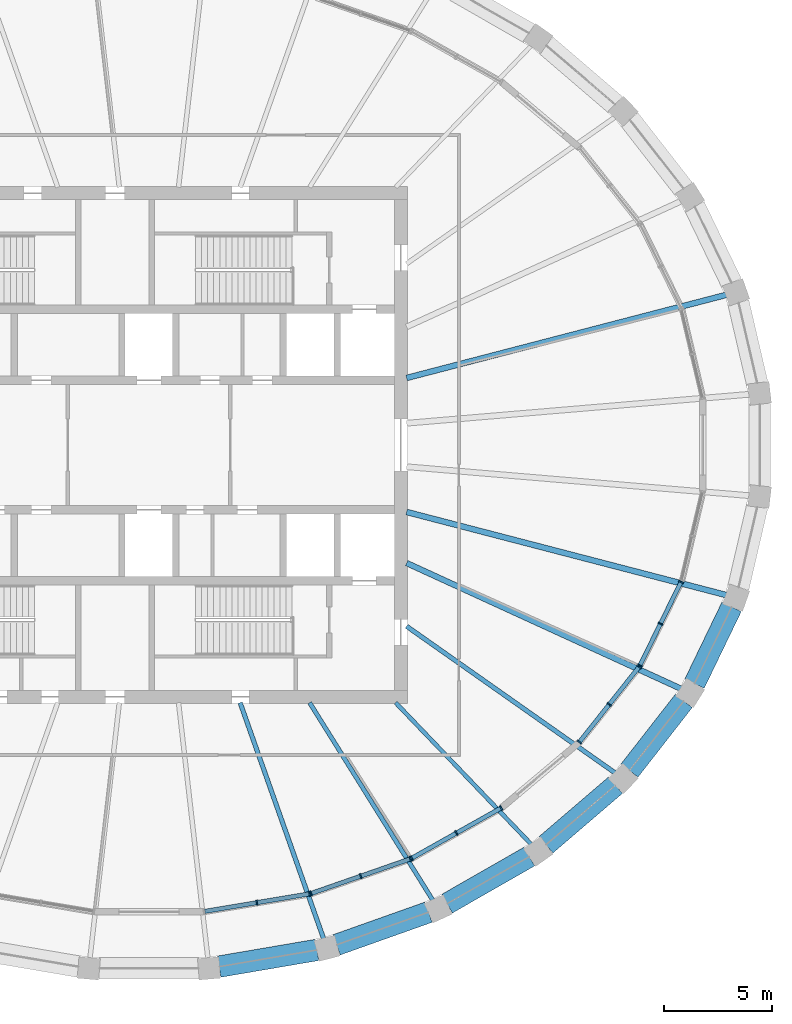
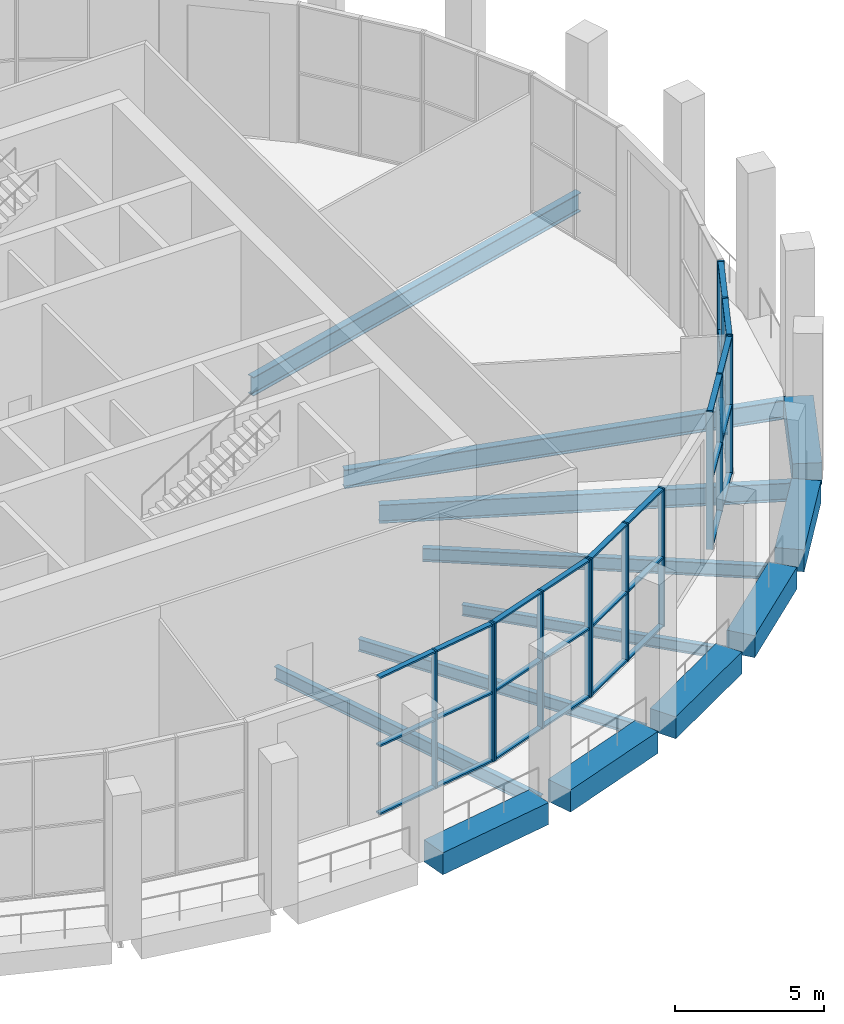
# One storey, part 4 of 15: 44 members, 13 beams, 5 elements without a shape of their own.
"""IFC4 building model written with IfcOpenShell, lengths in metres."""

from ifc_helpers import new_model, si_unit, direction, frame, origin, origin_2d, place, context, subcontext, project, spatial, rectangle, i_section, extrude, material, material_profile, profile_set, type_object, element, aggregate, save


model = new_model("IFC4")

# Units and contexts
model_context = context("Model", 3, precision=1e-05, world=origin(), true_north=direction((0.0, 1.0)))
body_context = subcontext(model_context, "Body", "Model", "MODEL_VIEW")
ifc_project = project(units=[si_unit("LENGTHUNIT", "METRE"), si_unit("AREAUNIT", "SQUARE_METRE"), si_unit("VOLUMEUNIT", "CUBIC_METRE"), si_unit("PLANEANGLEUNIT", "RADIAN"), si_unit("MASSUNIT", "GRAM", prefix="KILO")], contexts=[model_context])

# Site, building, storey
site_placement = place(None, origin())
site = spatial("IfcSite", under=ifc_project, at=site_placement, CompositionType="ELEMENT")
building_placement = place(site_placement, origin())
building = spatial("IfcBuilding", under=site, at=building_placement, Name="Halqa Exchange Tower", CompositionType="ELEMENT")
storey_placement = place(building_placement, frame((0.0, 0.0, 343.300048828125)))
storey = spatial("IfcBuildingStorey", under=building, at=storey_placement, Name="L80", CompositionType="ELEMENT", Elevation=343.300048828125)

# Beams
ifc_material_1 = material(Name="Steel S355", Category="steel")
ifc_material_profile_1 = material_profile(ifc_material_1, i_section(OverallWidth=0.18994140625, OverallDepth=0.449951171875, WebThickness=0.009521484375, FlangeThickness=0.0146484375, FilletRadius=0.02099609375, at=origin_2d()), Name="IPE 450")
ifc_profile_set_1 = profile_set([ifc_material_profile_1], Name="Steel S355")
beam_type_1 = type_object("IfcBeamType", Name="Floor beam IPE 450", PredefinedType="BEAM", material=ifc_profile_set_1)
beam_1_placement = place(storey_placement, frame((11.462890625, -11.97216796875, -0.574951171875), z_axis=(0.6915759213, -0.722303776175, 0.0), x_axis=(0.722303776175, 0.6915759213, 0.0)))
element("IfcBeam", 1, at=beam_1_placement, inside=storey, type_object=beam_type_1, Name="Radial beam 28", PredefinedType="BEAM", context=body_context, shape_type="SweptSolid", body=[
    extrude(i_section(OverallWidth=0.18994140625, OverallDepth=0.449951171875, WebThickness=0.009521484375, FlangeThickness=0.0146484375, FilletRadius=0.02099609375, at=origin_2d()), origin(), (0.0, 0.0, 1.0), 9.192626953125),
])
ifc_material_profile_2 = material_profile(ifc_material_1, i_section(OverallWidth=0.199951171875, OverallDepth=0.5, WebThickness=0.01025390625, FlangeThickness=0.01611328125, FilletRadius=0.02099609375, at=origin_2d()), Name="IPE 500")
ifc_profile_set_2 = profile_set([ifc_material_profile_2], Name="Steel S355")
beam_type_2 = type_object("IfcBeamType", Name="Floor beam IPE 500", PredefinedType="BEAM", material=ifc_profile_set_2)
beam_2_placement = place(storey_placement, frame((7.4658203125, -11.97216796875, -0.60009765625), z_axis=(0.529137326003, -0.848536204431, 0.0), x_axis=(0.848536204431, 0.529137326003, 0.0)))
element("IfcBeam", 2, at=beam_2_placement, inside=storey, type_object=beam_type_2, Name="Radial beam 27", PredefinedType="BEAM", context=body_context, shape_type="SweptSolid", body=[
    extrude(i_section(OverallWidth=0.199951171875, OverallDepth=0.5, WebThickness=0.01025390625, FlangeThickness=0.01611328125, FilletRadius=0.02099609375, at=origin_2d()), origin(), (0.0, 0.0, 1.0), 10.904541015625),
])
ifc_material_profile_3 = material_profile(ifc_material_1, i_section(OverallWidth=0.2099609375, OverallDepth=0.550048828125, WebThickness=0.010986328125, FlangeThickness=0.01708984375, FilletRadius=0.02392578125, at=origin_2d()), Name="IPE 550")
ifc_profile_set_3 = profile_set([ifc_material_profile_3], Name="Steel S355")
beam_type_3 = type_object("IfcBeamType", Name="Floor beam IPE 550", PredefinedType="BEAM", material=ifc_profile_set_3)
beam_3_placement = place(storey_placement, frame((4.23681640625, -11.971923828125, -0.625), z_axis=(0.333622781905, -0.942706656067, 0.0), x_axis=(0.942706656067, 0.333622781905, 0.0)))
element("IfcBeam", 3, at=beam_3_placement, inside=storey, type_object=beam_type_3, Name="Radial beam 26", PredefinedType="BEAM", context=body_context, shape_type="SweptSolid", body=[
    extrude(i_section(OverallWidth=0.2099609375, OverallDepth=0.550048828125, WebThickness=0.010986328125, FlangeThickness=0.01708984375, FilletRadius=0.02392578125, at=origin_2d()), origin(), (0.0, 0.0, 1.0), 11.723876953125),
])
beam_4_placement = place(storey_placement, frame((11.97265625, -8.422119140625, -0.625), z_axis=(0.817914568296, -0.57533969007, 0.0), x_axis=(0.57533969007, 0.817914568296, 0.0)))
element("IfcBeam", 4, at=beam_4_placement, inside=storey, type_object=beam_type_3, Name="Radial beam 29", PredefinedType="BEAM", context=body_context, shape_type="SweptSolid", body=[
    extrude(i_section(OverallWidth=0.2099609375, OverallDepth=0.550048828125, WebThickness=0.010986328125, FlangeThickness=0.01708984375, FilletRadius=0.02392578125, at=origin_2d()), origin(), (0.0, 0.0, 1.0), 11.92138671875),
])
ifc_material_profile_4 = material_profile(ifc_material_1, i_section(OverallWidth=0.264892578125, OverallDepth=0.7529296875, WebThickness=0.01318359375, FlangeThickness=0.01708984375, FilletRadius=0.01708984375, at=origin_2d()), Name="IPE 750x147")
ifc_profile_set_4 = profile_set([ifc_material_profile_4], Name="Steel S355")
beam_type_4 = type_object("IfcBeamType", Name="Floor beam IPE 750x147", PredefinedType="BEAM", material=ifc_profile_set_4)
beam_5_placement = place(storey_placement, frame((11.972412109375, -5.485107421875, -0.7265625), z_axis=(0.909126834486, -0.416519385884, 0.0), x_axis=(0.416519385884, 0.909126834486, 0.0)))
element("IfcBeam", 5, at=beam_5_placement, inside=storey, type_object=beam_type_4, Name="Radial beam 30", PredefinedType="BEAM", context=body_context, shape_type="SweptSolid", body=[
    extrude(i_section(OverallWidth=0.264892578125, OverallDepth=0.7529296875, WebThickness=0.01318359375, FlangeThickness=0.01708984375, FilletRadius=0.01708984375, at=origin_2d()), origin(), (0.0, 0.0, 1.0), 14.10205078125),
])
ifc_material_profile_5 = material_profile(ifc_material_1, i_section(OverallWidth=0.26806640625, OverallDepth=0.77001953125, WebThickness=0.015625, FlangeThickness=0.025390625, FilletRadius=0.01708984375, at=origin_2d()), Name="IPE 750x196")
ifc_profile_set_5 = profile_set([ifc_material_profile_5], Name="Steel S355")
beam_type_5 = type_object("IfcBeamType", Name="Floor beam IPE 750x196", PredefinedType="BEAM", material=ifc_profile_set_5)
for number, where, z_axis, x_axis, name in (
    (6, (11.97119140625, 3.112548828125, -0.735107421875), (0.967819348283, 0.251645999551, 0.0), (-0.251645999551, 0.967819348283, 0.0), "Radial beam 2"),
    (7, (11.97119140625, -3.112548828125, -0.735107421875), (0.967819348283, -0.251645999551, 0.0), (0.251645999551, 0.967819348283, 0.0), "Radial beam 31"),
):
    element("IfcBeam", number, at=place(storey_placement, frame(where, z_axis=z_axis, x_axis=x_axis)), inside=storey, type_object=beam_type_5, Name=name, PredefinedType="BEAM", context=body_context, shape_type="SweptSolid", body=[
        extrude(i_section(OverallWidth=0.26806640625, OverallDepth=0.77001953125, WebThickness=0.015625, FlangeThickness=0.025390625, FilletRadius=0.01708984375, at=origin_2d()), origin(), (0.0, 0.0, 1.0), 15.4365234375),
    ])

# Curtain wall, members
ifc_material_2 = material(Name="Anodised aluminium and clear glass", Category="aluminium")
curtain_wall_type = type_object("IfcCurtainWallType", Name="Observation deck glazing", PredefinedType="NOTDEFINED", material=ifc_material_2)
curtain_wall_1_placement = place(storey_placement, origin())
curtain_wall_1 = element("IfcCurtainWall", 8, at=curtain_wall_1_placement, inside=storey, type_object=curtain_wall_type, Name="Observation deck glazing run G25", PredefinedType="NOTDEFINED")
ifc_material_3 = material(Name="Anodised aluminium", Category="aluminium")
ifc_material_profile_6 = material_profile(ifc_material_3, rectangle(XDim=0.239990234375, YDim=0.070068359375, at=origin_2d()), Name="AL 70x240")
ifc_profile_set_6 = profile_set([ifc_material_profile_6], Name="Anodised aluminium")
member_type_1 = type_object("IfcMemberType", Name="Observation deck glazing mullion 70 x 240", PredefinedType="MULLION", material=ifc_profile_set_6)
member_1_placement = place(storey_placement, frame((5.0146484375, -21.2587890625, 0.0), z_axis=(0.0, 0.0, 1.0), x_axis=(-0.165117129007, 0.986273964834, 0.0)))
member_1 = element("IfcMember", 9, at=member_1_placement, type_object=member_type_1, Name="G25 mullion 2", PredefinedType="MULLION", context=body_context, shape_type="SweptSolid", body=[
    extrude(rectangle(XDim=0.239990234375, YDim=0.070068359375, at=origin_2d()), origin(), (0.0, 0.0, 1.0), 5.64990234375),
])
member_2_placement = place(storey_placement, frame((7.463134765625, -20.848876953125, 0.0), z_axis=(0.0, 0.0, 1.0), x_axis=(-0.165117129007, 0.986273964834, 0.0)))
member_2 = element("IfcMember", 10, at=member_2_placement, type_object=member_type_1, Name="G25 mullion 3", PredefinedType="MULLION", context=body_context, shape_type="SweptSolid", body=[
    extrude(rectangle(XDim=0.239990234375, YDim=0.070068359375, at=origin_2d()), origin(), (0.0, 0.0, 1.0), 5.64990234375),
])

curtain_wall_2_placement = place(storey_placement, origin())
curtain_wall_2 = element("IfcCurtainWall", 11, at=curtain_wall_2_placement, inside=storey, type_object=curtain_wall_type, Name="Observation deck glazing run G26", PredefinedType="NOTDEFINED")
member_3_placement = place(storey_placement, frame((7.53076171875, -20.83154296875, 0.0), z_axis=(0.0, 0.0, 1.0), x_axis=(-0.329160021888, 0.9442741551, 0.0)))
member_3 = element("IfcMember", 12, at=member_3_placement, type_object=member_type_1, Name="G26 mullion 1", PredefinedType="MULLION", context=body_context, shape_type="SweptSolid", body=[
    extrude(rectangle(XDim=0.239990234375, YDim=0.070068359375, at=origin_2d()), origin(), (0.0, 0.0, 1.0), 5.64990234375),
])
member_4_placement = place(storey_placement, frame((9.837158203125, -20.027587890625, 0.0), z_axis=(0.0, 0.0, 1.0), x_axis=(-0.329160021888, 0.9442741551, 0.0)))
member_4 = element("IfcMember", 13, at=member_4_placement, type_object=member_type_1, Name="G26 mullion 2", PredefinedType="MULLION", context=body_context, shape_type="SweptSolid", body=[
    extrude(rectangle(XDim=0.239990234375, YDim=0.070068359375, at=origin_2d()), origin(), (0.0, 0.0, 1.0), 5.64990234375),
])
member_5_placement = place(storey_placement, frame((12.143798828125, -19.2236328125, 0.0), z_axis=(0.0, 0.0, 1.0), x_axis=(-0.329160021888, 0.9442741551, 0.0)))
member_5 = element("IfcMember", 14, at=member_5_placement, type_object=member_type_1, Name="G26 mullion 3", PredefinedType="MULLION", context=body_context, shape_type="SweptSolid", body=[
    extrude(rectangle(XDim=0.239990234375, YDim=0.070068359375, at=origin_2d()), origin(), (0.0, 0.0, 1.0), 5.64990234375),
])

curtain_wall_3_placement = place(storey_placement, origin())
curtain_wall_3 = element("IfcCurtainWall", 15, at=curtain_wall_3_placement, inside=storey, type_object=curtain_wall_type, Name="Observation deck glazing run G27", PredefinedType="NOTDEFINED")
member_6_placement = place(storey_placement, frame((12.207275390625, -19.19482421875, 0.0), z_axis=(0.0, 0.0, 1.0), x_axis=(-0.490158094997, 0.871633547948, 0.0)))
member_6 = element("IfcMember", 16, at=member_6_placement, type_object=member_type_1, Name="G27 mullion 1", PredefinedType="MULLION", context=body_context, shape_type="SweptSolid", body=[
    extrude(rectangle(XDim=0.239990234375, YDim=0.070068359375, at=origin_2d()), origin(), (0.0, 0.0, 1.0), 5.64990234375),
])
member_7_placement = place(storey_placement, frame((14.283203125, -18.02734375, 0.0), z_axis=(0.0, 0.0, 1.0), x_axis=(-0.490158094997, 0.871633547948, 0.0)))
member_7 = element("IfcMember", 17, at=member_7_placement, type_object=member_type_1, Name="G27 mullion 2", PredefinedType="MULLION", context=body_context, shape_type="SweptSolid", body=[
    extrude(rectangle(XDim=0.239990234375, YDim=0.070068359375, at=origin_2d()), origin(), (0.0, 0.0, 1.0), 5.64990234375),
])
member_8_placement = place(storey_placement, frame((16.359130859375, -16.860107421875, 0.0), z_axis=(0.0, 0.0, 1.0), x_axis=(-0.490158094997, 0.871633547948, 0.0)))
member_8 = element("IfcMember", 18, at=member_8_placement, type_object=member_type_1, Name="G27 mullion 3", PredefinedType="MULLION", context=body_context, shape_type="SweptSolid", body=[
    extrude(rectangle(XDim=0.239990234375, YDim=0.070068359375, at=origin_2d()), origin(), (0.0, 0.0, 1.0), 5.64990234375),
])

curtain_wall_4_placement = place(storey_placement, origin())
curtain_wall_4 = element("IfcCurtainWall", 19, at=curtain_wall_4_placement, inside=storey, type_object=curtain_wall_type, Name="Observation deck glazing run G29", PredefinedType="NOTDEFINED")
member_9_placement = place(storey_placement, frame((19.996337890625, -13.798583984375, 0.0), z_axis=(0.0, 0.0, 1.0), x_axis=(-0.783162355834, 0.621817275737, 0.0)))
member_9 = element("IfcMember", 20, at=member_9_placement, type_object=member_type_1, Name="G29 mullion 1", PredefinedType="MULLION", context=body_context, shape_type="SweptSolid", body=[
    extrude(rectangle(XDim=0.239990234375, YDim=0.070068359375, at=origin_2d()), origin(), (0.0, 0.0, 1.0), 5.64990234375),
])
member_10_placement = place(storey_placement, frame((21.3837890625, -12.05126953125, 0.0), z_axis=(0.0, 0.0, 1.0), x_axis=(-0.783162355834, 0.621817275737, 0.0)))
member_10 = element("IfcMember", 21, at=member_10_placement, type_object=member_type_1, Name="G29 mullion 2", PredefinedType="MULLION", context=body_context, shape_type="SweptSolid", body=[
    extrude(rectangle(XDim=0.239990234375, YDim=0.070068359375, at=origin_2d()), origin(), (0.0, 0.0, 1.0), 5.64990234375),
])
member_11_placement = place(storey_placement, frame((22.771240234375, -10.3037109375, 0.0), z_axis=(0.0, 0.0, 1.0), x_axis=(-0.783162355834, 0.621817275737, 0.0)))
member_11 = element("IfcMember", 22, at=member_11_placement, type_object=member_type_1, Name="G29 mullion 3", PredefinedType="MULLION", context=body_context, shape_type="SweptSolid", body=[
    extrude(rectangle(XDim=0.239990234375, YDim=0.070068359375, at=origin_2d()), origin(), (0.0, 0.0, 1.0), 5.64990234375),
])

curtain_wall_5_placement = place(storey_placement, origin())
curtain_wall_5 = element("IfcCurtainWall", 23, at=curtain_wall_5_placement, inside=storey, type_object=curtain_wall_type, Name="Observation deck glazing run G30", PredefinedType="NOTDEFINED")
member_12_placement = place(storey_placement, frame((22.808349609375, -10.2451171875, 0.0), z_axis=(0.0, 0.0, 1.0), x_axis=(-0.897214741349, 0.441594506199, 0.0)))
member_12 = element("IfcMember", 24, at=member_12_placement, type_object=member_type_1, Name="G30 mullion 1", PredefinedType="MULLION", context=body_context, shape_type="SweptSolid", body=[
    extrude(rectangle(XDim=0.239990234375, YDim=0.070068359375, at=origin_2d()), origin(), (0.0, 0.0, 1.0), 5.64990234375),
])
member_13_placement = place(storey_placement, frame((23.76416015625, -8.302978515625, 0.0), z_axis=(0.0, 0.0, 1.0), x_axis=(-0.897214741349, 0.441594506199, 0.0)))
member_13 = element("IfcMember", 25, at=member_13_placement, type_object=member_type_1, Name="G30 mullion 2", PredefinedType="MULLION", context=body_context, shape_type="SweptSolid", body=[
    extrude(rectangle(XDim=0.239990234375, YDim=0.070068359375, at=origin_2d()), origin(), (0.0, 0.0, 1.0), 5.64990234375),
])
member_14_placement = place(storey_placement, frame((24.719970703125, -6.36083984375, 0.0), z_axis=(0.0, 0.0, 1.0), x_axis=(-0.897214741349, 0.441594506199, 0.0)))
member_14 = element("IfcMember", 26, at=member_14_placement, type_object=member_type_1, Name="G30 mullion 3", PredefinedType="MULLION", context=body_context, shape_type="SweptSolid", body=[
    extrude(rectangle(XDim=0.239990234375, YDim=0.070068359375, at=origin_2d()), origin(), (0.0, 0.0, 1.0), 5.64990234375),
])

# Member
ifc_material_profile_7 = material_profile(ifc_material_3, rectangle(XDim=0.199951171875, YDim=0.070068359375, at=origin_2d()), Name="AL 70x200")
ifc_profile_set_7 = profile_set([ifc_material_profile_7], Name="Anodised aluminium")
member_type_2 = type_object("IfcMemberType", Name="Observation deck glazing transom 70 x 200", PredefinedType="USERDEFINED", material=ifc_profile_set_7)
member_15_placement = place(storey_placement, frame((2.6005859375, -21.662841796875, 0.034912109375), z_axis=(0.986284301217, 0.165055376081, 0.0), x_axis=(-0.165055376081, 0.986284301217, 0.0)))
member_15 = element("IfcMember", 27, at=member_15_placement, type_object=member_type_2, Name="G25 transom 1.1", ObjectType="TRANSOM", PredefinedType="USERDEFINED", context=body_context, shape_type="SweptSolid", body=[
    extrude(rectangle(XDim=0.199951171875, YDim=0.070068359375, at=origin_2d()), origin(), (0.0, 0.0, 1.0), 2.41259765625),
])

member_16_placement = place(storey_placement, frame((2.6005859375, -21.662841796875, 2.824951171875), z_axis=(0.986284301217, 0.165055376081, 0.0), x_axis=(-0.165055376081, 0.986284301217, 0.0)))
member_16 = element("IfcMember", 28, at=member_16_placement, type_object=member_type_2, Name="G25 transom 1.2", ObjectType="TRANSOM", PredefinedType="USERDEFINED", context=body_context, shape_type="SweptSolid", body=[
    extrude(rectangle(XDim=0.199951171875, YDim=0.070068359375, at=origin_2d()), origin(), (0.0, 0.0, 1.0), 2.41259765625),
])

member_17_placement = place(storey_placement, frame((2.6005859375, -21.662841796875, 5.614990234375), z_axis=(0.986284301217, 0.165055376081, 0.0), x_axis=(-0.165055376081, 0.986284301217, 0.0)))
member_17 = element("IfcMember", 29, at=member_17_placement, type_object=member_type_2, Name="G25 transom 1.3", ObjectType="TRANSOM", PredefinedType="USERDEFINED", context=body_context, shape_type="SweptSolid", body=[
    extrude(rectangle(XDim=0.199951171875, YDim=0.070068359375, at=origin_2d()), origin(), (0.0, 0.0, 1.0), 2.41259765625),
])

member_18_placement = place(storey_placement, frame((5.049072265625, -21.2529296875, 0.034912109375), z_axis=(0.986284301217, 0.165055376081, 0.0), x_axis=(-0.165055376081, 0.986284301217, 0.0)))
member_18 = element("IfcMember", 30, at=member_18_placement, type_object=member_type_2, Name="G25 transom 2.1", ObjectType="TRANSOM", PredefinedType="USERDEFINED", context=body_context, shape_type="SweptSolid", body=[
    extrude(rectangle(XDim=0.199951171875, YDim=0.070068359375, at=origin_2d()), origin(), (0.0, 0.0, 1.0), 2.41259765625),
])

member_19_placement = place(storey_placement, frame((5.049072265625, -21.2529296875, 2.824951171875), z_axis=(0.986284301217, 0.165055376081, 0.0), x_axis=(-0.165055376081, 0.986284301217, 0.0)))
member_19 = element("IfcMember", 31, at=member_19_placement, type_object=member_type_2, Name="G25 transom 2.2", ObjectType="TRANSOM", PredefinedType="USERDEFINED", context=body_context, shape_type="SweptSolid", body=[
    extrude(rectangle(XDim=0.199951171875, YDim=0.070068359375, at=origin_2d()), origin(), (0.0, 0.0, 1.0), 2.41259765625),
])

member_20_placement = place(storey_placement, frame((5.049072265625, -21.2529296875, 5.614990234375), z_axis=(0.986284301217, 0.165055376081, 0.0), x_axis=(-0.165055376081, 0.986284301217, 0.0)))
member_20 = element("IfcMember", 32, at=member_20_placement, type_object=member_type_2, Name="G25 transom 2.3", ObjectType="TRANSOM", PredefinedType="USERDEFINED", context=body_context, shape_type="SweptSolid", body=[
    extrude(rectangle(XDim=0.199951171875, YDim=0.070068359375, at=origin_2d()), origin(), (0.0, 0.0, 1.0), 2.41259765625),
])

aggregate(curtain_wall_1, [member_1, member_2, member_15, member_16, member_17, member_18, member_19, member_20])

member_21_placement = place(storey_placement, frame((7.563720703125, -20.820068359375, 0.034912109375), z_axis=(0.944273088174, 0.329163082605, 0.0), x_axis=(-0.329163082605, 0.944273088174, 0.0)))
member_21 = element("IfcMember", 33, at=member_21_placement, type_object=member_type_2, Name="G26 transom 1.1", ObjectType="TRANSOM", PredefinedType="USERDEFINED", context=body_context, shape_type="SweptSolid", body=[
    extrude(rectangle(XDim=0.199951171875, YDim=0.070068359375, at=origin_2d()), origin(), (0.0, 0.0, 1.0), 2.372802734375),
])

member_22_placement = place(storey_placement, frame((7.563720703125, -20.820068359375, 2.824951171875), z_axis=(0.944273088174, 0.329163082605, 0.0), x_axis=(-0.329163082605, 0.944273088174, 0.0)))
member_22 = element("IfcMember", 34, at=member_22_placement, type_object=member_type_2, Name="G26 transom 1.2", ObjectType="TRANSOM", PredefinedType="USERDEFINED", context=body_context, shape_type="SweptSolid", body=[
    extrude(rectangle(XDim=0.199951171875, YDim=0.070068359375, at=origin_2d()), origin(), (0.0, 0.0, 1.0), 2.372802734375),
])

member_23_placement = place(storey_placement, frame((7.563720703125, -20.820068359375, 5.614990234375), z_axis=(0.944273088174, 0.329163082605, 0.0), x_axis=(-0.329163082605, 0.944273088174, 0.0)))
member_23 = element("IfcMember", 35, at=member_23_placement, type_object=member_type_2, Name="G26 transom 1.3", ObjectType="TRANSOM", PredefinedType="USERDEFINED", context=body_context, shape_type="SweptSolid", body=[
    extrude(rectangle(XDim=0.199951171875, YDim=0.070068359375, at=origin_2d()), origin(), (0.0, 0.0, 1.0), 2.372802734375),
])

member_24_placement = place(storey_placement, frame((9.870361328125, -20.01611328125, 0.034912109375), z_axis=(0.94426193798, 0.329195067524, 0.0), x_axis=(-0.329195067524, 0.94426193798, 0.0)))
member_24 = element("IfcMember", 36, at=member_24_placement, type_object=member_type_2, Name="G26 transom 2.1", ObjectType="TRANSOM", PredefinedType="USERDEFINED", context=body_context, shape_type="SweptSolid", body=[
    extrude(rectangle(XDim=0.199951171875, YDim=0.070068359375, at=origin_2d()), origin(), (0.0, 0.0, 1.0), 2.37255859375),
])

member_25_placement = place(storey_placement, frame((9.870361328125, -20.01611328125, 2.824951171875), z_axis=(0.94426193798, 0.329195067524, 0.0), x_axis=(-0.329195067524, 0.94426193798, 0.0)))
member_25 = element("IfcMember", 37, at=member_25_placement, type_object=member_type_2, Name="G26 transom 2.2", ObjectType="TRANSOM", PredefinedType="USERDEFINED", context=body_context, shape_type="SweptSolid", body=[
    extrude(rectangle(XDim=0.199951171875, YDim=0.070068359375, at=origin_2d()), origin(), (0.0, 0.0, 1.0), 2.37255859375),
])

member_26_placement = place(storey_placement, frame((9.870361328125, -20.01611328125, 5.614990234375), z_axis=(0.94426193798, 0.329195067524, 0.0), x_axis=(-0.329195067524, 0.94426193798, 0.0)))
member_26 = element("IfcMember", 38, at=member_26_placement, type_object=member_type_2, Name="G26 transom 2.3", ObjectType="TRANSOM", PredefinedType="USERDEFINED", context=body_context, shape_type="SweptSolid", body=[
    extrude(rectangle(XDim=0.199951171875, YDim=0.070068359375, at=origin_2d()), origin(), (0.0, 0.0, 1.0), 2.37255859375),
])

aggregate(curtain_wall_2, [member_3, member_4, member_5, member_21, member_22, member_23, member_24, member_25, member_26])

member_27_placement = place(storey_placement, frame((12.23779296875, -19.177734375, 0.034912109375), z_axis=(0.871634762518, 0.490155935157, 0.0), x_axis=(-0.490155935157, 0.871634762518, 0.0)))
member_27 = element("IfcMember", 39, at=member_27_placement, type_object=member_type_2, Name="G27 transom 1.1", ObjectType="TRANSOM", PredefinedType="USERDEFINED", context=body_context, shape_type="SweptSolid", body=[
    extrude(rectangle(XDim=0.199951171875, YDim=0.070068359375, at=origin_2d()), origin(), (0.0, 0.0, 1.0), 2.3115234375),
])

member_28_placement = place(storey_placement, frame((12.23779296875, -19.177734375, 2.824951171875), z_axis=(0.871634762518, 0.490155935157, 0.0), x_axis=(-0.490155935157, 0.871634762518, 0.0)))
member_28 = element("IfcMember", 40, at=member_28_placement, type_object=member_type_2, Name="G27 transom 1.2", ObjectType="TRANSOM", PredefinedType="USERDEFINED", context=body_context, shape_type="SweptSolid", body=[
    extrude(rectangle(XDim=0.199951171875, YDim=0.070068359375, at=origin_2d()), origin(), (0.0, 0.0, 1.0), 2.3115234375),
])

member_29_placement = place(storey_placement, frame((12.23779296875, -19.177734375, 5.614990234375), z_axis=(0.871634762518, 0.490155935157, 0.0), x_axis=(-0.490155935157, 0.871634762518, 0.0)))
member_29 = element("IfcMember", 41, at=member_29_placement, type_object=member_type_2, Name="G27 transom 1.3", ObjectType="TRANSOM", PredefinedType="USERDEFINED", context=body_context, shape_type="SweptSolid", body=[
    extrude(rectangle(XDim=0.199951171875, YDim=0.070068359375, at=origin_2d()), origin(), (0.0, 0.0, 1.0), 2.3115234375),
])

member_30_placement = place(storey_placement, frame((14.313720703125, -18.01025390625, 0.034912109375), z_axis=(0.871634762518, 0.490155935157, 0.0), x_axis=(-0.490155935157, 0.871634762518, 0.0)))
member_30 = element("IfcMember", 42, at=member_30_placement, type_object=member_type_2, Name="G27 transom 2.1", ObjectType="TRANSOM", PredefinedType="USERDEFINED", context=body_context, shape_type="SweptSolid", body=[
    extrude(rectangle(XDim=0.199951171875, YDim=0.070068359375, at=origin_2d()), origin(), (0.0, 0.0, 1.0), 2.3115234375),
])

member_31_placement = place(storey_placement, frame((14.313720703125, -18.01025390625, 2.824951171875), z_axis=(0.871634762518, 0.490155935157, 0.0), x_axis=(-0.490155935157, 0.871634762518, 0.0)))
member_31 = element("IfcMember", 43, at=member_31_placement, type_object=member_type_2, Name="G27 transom 2.2", ObjectType="TRANSOM", PredefinedType="USERDEFINED", context=body_context, shape_type="SweptSolid", body=[
    extrude(rectangle(XDim=0.199951171875, YDim=0.070068359375, at=origin_2d()), origin(), (0.0, 0.0, 1.0), 2.3115234375),
])

member_32_placement = place(storey_placement, frame((14.313720703125, -18.01025390625, 5.614990234375), z_axis=(0.871634762518, 0.490155935157, 0.0), x_axis=(-0.490155935157, 0.871634762518, 0.0)))
member_32 = element("IfcMember", 44, at=member_32_placement, type_object=member_type_2, Name="G27 transom 2.3", ObjectType="TRANSOM", PredefinedType="USERDEFINED", context=body_context, shape_type="SweptSolid", body=[
    extrude(rectangle(XDim=0.199951171875, YDim=0.070068359375, at=origin_2d()), origin(), (0.0, 0.0, 1.0), 2.3115234375),
])

aggregate(curtain_wall_3, [member_6, member_7, member_8, member_27, member_28, member_29, member_30, member_31, member_32])

member_33_placement = place(storey_placement, frame((20.01806640625, -13.771240234375, 0.034912109375), z_axis=(0.621770069229, 0.78319983466, 0.0), x_axis=(-0.78319983466, 0.621770069229, 0.0)))
member_33 = element("IfcMember", 45, at=member_33_placement, type_object=member_type_2, Name="G29 transom 1.1", ObjectType="TRANSOM", PredefinedType="USERDEFINED", context=body_context, shape_type="SweptSolid", body=[
    extrude(rectangle(XDim=0.199951171875, YDim=0.070068359375, at=origin_2d()), origin(), (0.0, 0.0, 1.0), 2.1611328125),
])

member_34_placement = place(storey_placement, frame((20.01806640625, -13.771240234375, 2.824951171875), z_axis=(0.621770069229, 0.78319983466, 0.0), x_axis=(-0.78319983466, 0.621770069229, 0.0)))
member_34 = element("IfcMember", 46, at=member_34_placement, type_object=member_type_2, Name="G29 transom 1.2", ObjectType="TRANSOM", PredefinedType="USERDEFINED", context=body_context, shape_type="SweptSolid", body=[
    extrude(rectangle(XDim=0.199951171875, YDim=0.070068359375, at=origin_2d()), origin(), (0.0, 0.0, 1.0), 2.1611328125),
])

member_35_placement = place(storey_placement, frame((20.01806640625, -13.771240234375, 5.614990234375), z_axis=(0.621770069229, 0.78319983466, 0.0), x_axis=(-0.78319983466, 0.621770069229, 0.0)))
member_35 = element("IfcMember", 47, at=member_35_placement, type_object=member_type_2, Name="G29 transom 1.3", ObjectType="TRANSOM", PredefinedType="USERDEFINED", context=body_context, shape_type="SweptSolid", body=[
    extrude(rectangle(XDim=0.199951171875, YDim=0.070068359375, at=origin_2d()), origin(), (0.0, 0.0, 1.0), 2.1611328125),
])

member_36_placement = place(storey_placement, frame((21.405517578125, -12.02392578125, 0.034912109375), z_axis=(0.621770069229, 0.78319983466, 0.0), x_axis=(-0.78319983466, 0.621770069229, 0.0)))
member_36 = element("IfcMember", 48, at=member_36_placement, type_object=member_type_2, Name="G29 transom 2.1", ObjectType="TRANSOM", PredefinedType="USERDEFINED", context=body_context, shape_type="SweptSolid", body=[
    extrude(rectangle(XDim=0.199951171875, YDim=0.070068359375, at=origin_2d()), origin(), (0.0, 0.0, 1.0), 2.1611328125),
])

member_37_placement = place(storey_placement, frame((21.405517578125, -12.02392578125, 2.824951171875), z_axis=(0.621770069229, 0.78319983466, 0.0), x_axis=(-0.78319983466, 0.621770069229, 0.0)))
member_37 = element("IfcMember", 49, at=member_37_placement, type_object=member_type_2, Name="G29 transom 2.2", ObjectType="TRANSOM", PredefinedType="USERDEFINED", context=body_context, shape_type="SweptSolid", body=[
    extrude(rectangle(XDim=0.199951171875, YDim=0.070068359375, at=origin_2d()), origin(), (0.0, 0.0, 1.0), 2.1611328125),
])

member_38_placement = place(storey_placement, frame((21.405517578125, -12.02392578125, 5.614990234375), z_axis=(0.621770069229, 0.78319983466, 0.0), x_axis=(-0.78319983466, 0.621770069229, 0.0)))
member_38 = element("IfcMember", 50, at=member_38_placement, type_object=member_type_2, Name="G29 transom 2.3", ObjectType="TRANSOM", PredefinedType="USERDEFINED", context=body_context, shape_type="SweptSolid", body=[
    extrude(rectangle(XDim=0.199951171875, YDim=0.070068359375, at=origin_2d()), origin(), (0.0, 0.0, 1.0), 2.1611328125),
])

aggregate(curtain_wall_4, [member_9, member_10, member_11, member_33, member_34, member_35, member_36, member_37, member_38])

member_39_placement = place(storey_placement, frame((22.82373046875, -10.213623046875, 0.034912109375), z_axis=(0.441656599677, 0.89718417728, 0.0), x_axis=(-0.89718417728, 0.441656599677, 0.0)))
member_39 = element("IfcMember", 51, at=member_39_placement, type_object=member_type_2, Name="G30 transom 1.1", ObjectType="TRANSOM", PredefinedType="USERDEFINED", context=body_context, shape_type="SweptSolid", body=[
    extrude(rectangle(XDim=0.199951171875, YDim=0.070068359375, at=origin_2d()), origin(), (0.0, 0.0, 1.0), 2.094482421875),
])

member_40_placement = place(storey_placement, frame((22.82373046875, -10.213623046875, 2.824951171875), z_axis=(0.441656599677, 0.89718417728, 0.0), x_axis=(-0.89718417728, 0.441656599677, 0.0)))
member_40 = element("IfcMember", 52, at=member_40_placement, type_object=member_type_2, Name="G30 transom 1.2", ObjectType="TRANSOM", PredefinedType="USERDEFINED", context=body_context, shape_type="SweptSolid", body=[
    extrude(rectangle(XDim=0.199951171875, YDim=0.070068359375, at=origin_2d()), origin(), (0.0, 0.0, 1.0), 2.094482421875),
])

member_41_placement = place(storey_placement, frame((22.82373046875, -10.213623046875, 5.614990234375), z_axis=(0.441656599677, 0.89718417728, 0.0), x_axis=(-0.89718417728, 0.441656599677, 0.0)))
member_41 = element("IfcMember", 53, at=member_41_placement, type_object=member_type_2, Name="G30 transom 1.3", ObjectType="TRANSOM", PredefinedType="USERDEFINED", context=body_context, shape_type="SweptSolid", body=[
    extrude(rectangle(XDim=0.199951171875, YDim=0.070068359375, at=origin_2d()), origin(), (0.0, 0.0, 1.0), 2.094482421875),
])

member_42_placement = place(storey_placement, frame((23.779541015625, -8.271484375, 0.034912109375), z_axis=(0.441656599677, 0.89718417728, 0.0), x_axis=(-0.89718417728, 0.441656599677, 0.0)))
member_42 = element("IfcMember", 54, at=member_42_placement, type_object=member_type_2, Name="G30 transom 2.1", ObjectType="TRANSOM", PredefinedType="USERDEFINED", context=body_context, shape_type="SweptSolid", body=[
    extrude(rectangle(XDim=0.199951171875, YDim=0.070068359375, at=origin_2d()), origin(), (0.0, 0.0, 1.0), 2.094482421875),
])

member_43_placement = place(storey_placement, frame((23.779541015625, -8.271484375, 2.824951171875), z_axis=(0.441656599677, 0.89718417728, 0.0), x_axis=(-0.89718417728, 0.441656599677, 0.0)))
member_43 = element("IfcMember", 55, at=member_43_placement, type_object=member_type_2, Name="G30 transom 2.2", ObjectType="TRANSOM", PredefinedType="USERDEFINED", context=body_context, shape_type="SweptSolid", body=[
    extrude(rectangle(XDim=0.199951171875, YDim=0.070068359375, at=origin_2d()), origin(), (0.0, 0.0, 1.0), 2.094482421875),
])

member_44_placement = place(storey_placement, frame((23.779541015625, -8.271484375, 5.614990234375), z_axis=(0.441656599677, 0.89718417728, 0.0), x_axis=(-0.89718417728, 0.441656599677, 0.0)))
member_44 = element("IfcMember", 56, at=member_44_placement, type_object=member_type_2, Name="G30 transom 2.3", ObjectType="TRANSOM", PredefinedType="USERDEFINED", context=body_context, shape_type="SweptSolid", body=[
    extrude(rectangle(XDim=0.199951171875, YDim=0.070068359375, at=origin_2d()), origin(), (0.0, 0.0, 1.0), 2.094482421875),
])

aggregate(curtain_wall_5, [member_12, member_13, member_14, member_39, member_40, member_41, member_42, member_43, member_44])

# Beams
ifc_material_4 = material(Name="Concrete C60/75", Category="concrete")
ifc_material_profile_8 = material_profile(ifc_material_4, rectangle(XDim=1.0, YDim=0.89990234375, at=origin_2d()), Name="1000 x 900")
ifc_profile_set_8 = profile_set([ifc_material_profile_8], Name="Concrete C60/75")
beam_type_6 = type_object("IfcBeamType", Name="RC spandrel beam 1000 x 900 C60/75", PredefinedType="SPANDREL", material=ifc_profile_set_8)
beam_6_placement = place(storey_placement, frame((3.2607421875, -24.231201171875, -0.449951171875), z_axis=(0.985773042695, 0.168081849987, 0.0), x_axis=(-0.168081849987, 0.985773042695, 0.0)))
element("IfcBeam", 57, at=beam_6_placement, inside=storey, type_object=beam_type_6, Name="Spandrel 25", PredefinedType="SPANDREL", context=body_context, shape_type="SweptSolid", body=[
    extrude(rectangle(XDim=1.0, YDim=0.89990234375, at=origin_2d()), origin(), (0.0, 0.0, 1.0), 4.6103515625),
])
beam_7_placement = place(storey_placement, frame((8.718994140625, -23.218505859375, -0.449951171875), z_axis=(0.94236088808, 0.334598201755, 0.0), x_axis=(-0.334598201755, 0.94236088808, 0.0)))
element("IfcBeam", 58, at=beam_7_placement, inside=storey, type_object=beam_type_6, Name="Spandrel 26", PredefinedType="SPANDREL", context=body_context, shape_type="SweptSolid", body=[
    extrude(rectangle(XDim=1.0, YDim=0.89990234375, at=origin_2d()), origin(), (0.0, 0.0, 1.0), 4.530517578125),
])
beam_8_placement = place(storey_placement, frame((13.8466796875, -21.30810546875, -0.449951171875), z_axis=(0.86778573249, 0.49693855001, 0.0), x_axis=(-0.49693855001, 0.86778573249, 0.0)))
element("IfcBeam", 59, at=beam_8_placement, inside=storey, type_object=beam_type_6, Name="Spandrel 27", PredefinedType="SPANDREL", context=body_context, shape_type="SweptSolid", body=[
    extrude(rectangle(XDim=1.0, YDim=0.89990234375, at=origin_2d()), origin(), (0.0, 0.0, 1.0), 4.40478515625),
])
beam_9_placement = place(storey_placement, frame((18.44091796875, -18.574462890625, -0.449951171875), z_axis=(0.759232294843, 0.65081973116, 0.0), x_axis=(-0.65081973116, 0.759232294843, 0.0)))
element("IfcBeam", 60, at=beam_9_placement, inside=storey, type_object=beam_type_6, Name="Spandrel 28", PredefinedType="SPANDREL", context=body_context, shape_type="SweptSolid", body=[
    extrude(rectangle(XDim=1.0, YDim=0.89990234375, at=origin_2d()), origin(), (0.0, 0.0, 1.0), 4.25390625),
])
beam_10_placement = place(storey_placement, frame((22.322021484375, -15.123779296875, -0.449951171875), z_axis=(0.61480594236, 0.788678421943, 0.0), x_axis=(-0.788678421943, 0.61480594236, 0.0)))
element("IfcBeam", 61, at=beam_10_placement, inside=storey, type_object=beam_type_6, Name="Spandrel 29", PredefinedType="SPANDREL", context=body_context, shape_type="SweptSolid", body=[
    extrude(rectangle(XDim=1.0, YDim=0.89990234375, at=origin_2d()), origin(), (0.0, 0.0, 1.0), 4.10009765625),
])
beam_11_placement = place(storey_placement, frame((25.34130859375, -11.088623046875, -0.449951171875), z_axis=(0.43505216676, 0.900405248873, 0.0), x_axis=(-0.900405248873, 0.43505216676, 0.0)))
element("IfcBeam", 62, at=beam_11_placement, inside=storey, type_object=beam_type_6, Name="Spandrel 30", PredefinedType="SPANDREL", context=body_context, shape_type="SweptSolid", body=[
    extrude(rectangle(XDim=1.0, YDim=0.89990234375, at=origin_2d()), origin(), (0.0, 0.0, 1.0), 3.964111328125),
])

save(model, "model.ifc")
